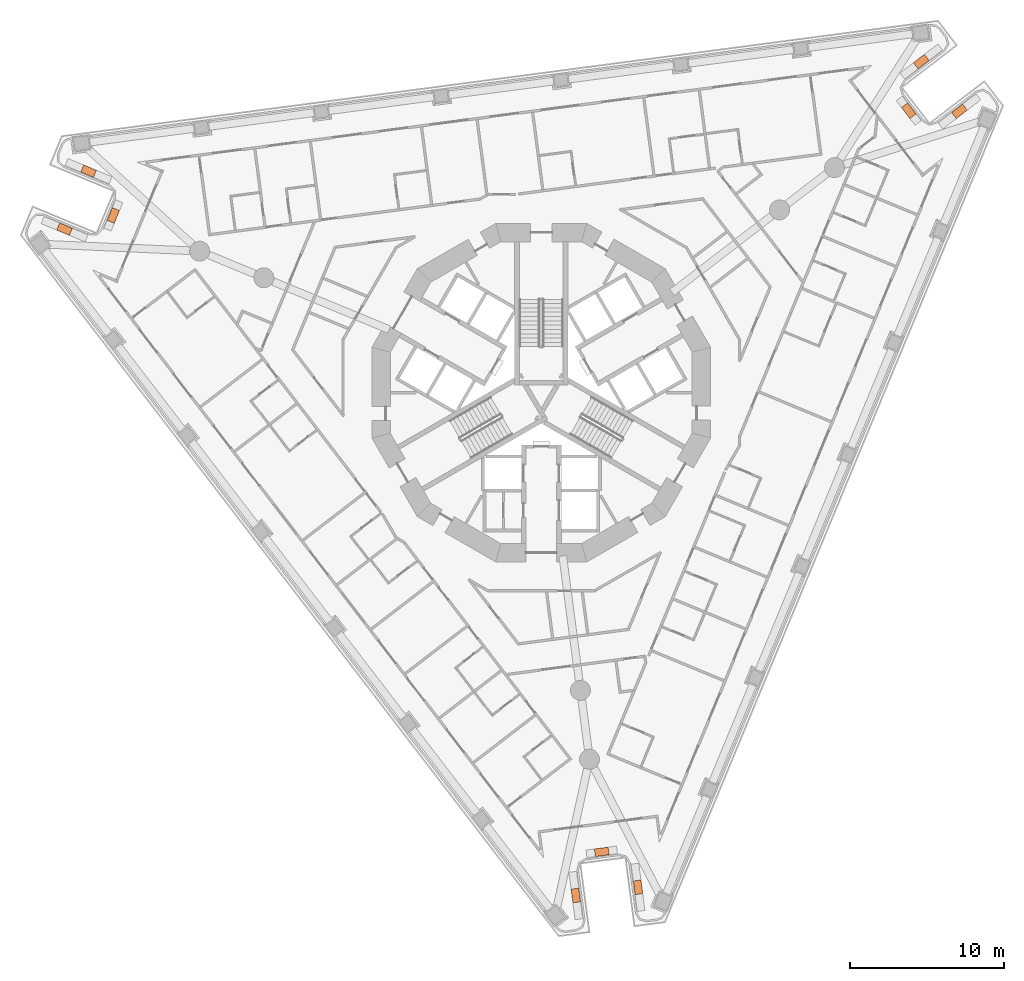
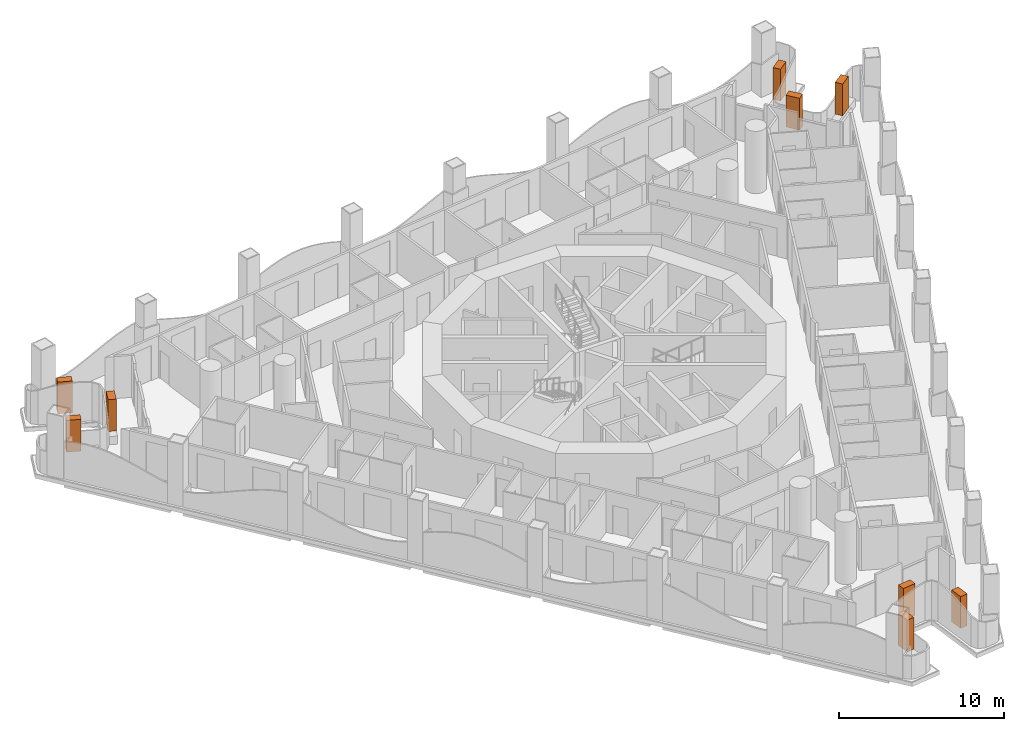
# One storey, part 19 of 19: 9 geographic elements.
"""IFC4 building model written with IfcOpenShell, lengths in metres."""

import ifcopenshell
import ifcopenshell.guid

model = None  # the IFC model being written
_history = None  # IfcOwnerHistory: only IFC2X3 demands one
_inside = {}  # id of a spatial element -> (the spatial element, [elements in it])
_under = {}  # id of a project, library or spatial element -> (it, [spatial elements below it])
_declared = {}  # id of a project -> (the project, [libraries it declares])
_typed = {}  # id of a type object -> (the type object, [elements of that type])
_made_of = {}  # id of a material, layer set ... -> (it, [elements and type objects made of it])


def new_model(schema):
    """Start an empty IFC model of exactly this schema.

    Asked for "IFC4X3", IfcOpenShell would pick the latest addendum, in which some entities
    have other attributes; the version numbers below select the first issue.
    IFC2X3 requires an IfcOwnerHistory on every rooted entity: one is made here for all.
    """
    global model, _history
    if schema == "IFC4X3":
        model = ifcopenshell.file(schema_version=(4, 3, 0, 0))
    else:
        model = ifcopenshell.file(schema=schema)
    _inside.clear()
    _under.clear()
    _declared.clear()
    _typed.clear()
    _made_of.clear()
    _history = None
    if model.schema == "IFC2X3":
        org = make("IfcOrganization", Name="unknown")
        user = make(
            "IfcPersonAndOrganization",
            ThePerson=make("IfcPerson", FamilyName="unknown"),
            TheOrganization=org,
        )
        app = make(
            "IfcApplication",
            ApplicationDeveloper=org,
            Version="unknown",
            ApplicationFullName="unknown",
            ApplicationIdentifier="unknown",
        )
        _history = make(
            "IfcOwnerHistory",
            OwningUser=user,
            OwningApplication=app,
            ChangeAction="ADDED",
            CreationDate=0,
        )
    return model


def make(cls, **values):
    """One entity of the class cls with the attributes given. An attribute that is None is left unset."""
    return model.create_entity(
        cls, **{name: value for name, value in values.items() if value is not None}
    )


def rooted(cls, **values):
    """An entity with a GlobalId (a new one), such as an element, a storey or a relation."""
    return make(cls, GlobalId=ifcopenshell.guid.new(), OwnerHistory=_history, **values)


def si_unit(unit_type, name, prefix=None):
    """IfcSIUnit, for example si_unit("LENGTHUNIT", "METRE", prefix="MILLI")."""
    return make("IfcSIUnit", UnitType=unit_type, Prefix=prefix, Name=name)


def assignment(units):
    """IfcUnitAssignment: the units of a project."""
    return None if units is None else make("IfcUnitAssignment", Units=units)


def point(xyz):
    """IfcCartesianPoint."""
    return None if xyz is None else make("IfcCartesianPoint", Coordinates=xyz)


def direction(xyz):
    """IfcDirection."""
    return None if xyz is None else make("IfcDirection", DirectionRatios=xyz)


def frame(location, z_axis=None, x_axis=None):
    """IfcAxis2Placement3D, a coordinate frame: its origin and axes. An axis left out is left unset."""
    return make(
        "IfcAxis2Placement3D",
        Location=point(location),
        Axis=direction(z_axis),
        RefDirection=direction(x_axis),
    )


def frame_2d(location, x_axis=None):
    """IfcAxis2Placement2D, a coordinate frame in the plane: its origin and x axis."""
    return make(
        "IfcAxis2Placement2D", Location=point(location), RefDirection=direction(x_axis)
    )


def origin():
    """The frame at (0, 0, 0) with its axes left unset."""
    return frame((0.0, 0.0, 0.0))


def origin_2d():
    """The frame at (0, 0) in the plane with its x axis left unset."""
    return frame_2d((0.0, 0.0))


def place(relative_to, where):
    """IfcLocalPlacement: puts the frame where relative to a parent placement (None: the world)."""
    return make(
        "IfcLocalPlacement", PlacementRelTo=relative_to, RelativePlacement=where
    )


def context(
    kind, dimensions, precision=None, world=None, true_north=None, identifier=None
):
    """IfcGeometricRepresentationContext, for example the 3D "Model" context."""
    return make(
        "IfcGeometricRepresentationContext",
        ContextIdentifier=identifier,
        ContextType=kind,
        CoordinateSpaceDimension=dimensions,
        Precision=precision,
        WorldCoordinateSystem=world,
        TrueNorth=true_north,
    )


def subcontext(parent, identifier, kind, view, scale=None):
    """IfcGeometricRepresentationSubContext, for example "Body" below "Model"."""
    return make(
        "IfcGeometricRepresentationSubContext",
        ContextIdentifier=identifier,
        ContextType=kind,
        ParentContext=parent,
        TargetScale=scale,
        TargetView=view,
    )


def project(units=None, contexts=None):
    """IfcProject with its units and contexts."""
    return rooted(
        "IfcProject",
        Name="project",
        RepresentationContexts=contexts,
        UnitsInContext=assignment(units),
    )


def spatial(cls, under=None, at=None, **own):
    """A site, building, storey or space (cls), placed at a placement, below another one or the project."""
    s = rooted(cls, ObjectPlacement=at, **own)
    if under is not None:
        _under.setdefault(under.id(), (under, []))[1].append(s)
    return s


def profile(cls, at=None, kind="AREA", **sizes):
    """A parametric profile (cls). Its sizes go by their IFC names, for example OverallWidth=200.0."""
    return make(cls, ProfileType=kind, Position=at, **sizes)


def rectangle(**sizes):
    """IfcRectangleProfileDef."""
    return profile("IfcRectangleProfileDef", **sizes)


def extrude(swept, where, along, depth):
    """IfcExtrudedAreaSolid: the profile swept, set in the frame where, extruded along a direction by depth."""
    return make(
        "IfcExtrudedAreaSolid",
        SweptArea=swept,
        Position=where,
        ExtrudedDirection=direction(along),
        Depth=depth,
    )


def shape(context_of_items, identifier, shape_type, items):
    """IfcShapeRepresentation: the items that make up one representation, for example the "Body"."""
    return make(
        "IfcShapeRepresentation",
        ContextOfItems=context_of_items,
        RepresentationIdentifier=identifier,
        RepresentationType=shape_type,
        Items=items,
    )


def made_of(thing, what):
    """Note that an element or type object is made of a material, layer set ...; save() writes the relation."""
    if what is not None:
        _made_of.setdefault(what.id(), (what, []))[1].append(thing)
    return thing


def element(
    cls,
    number,
    at=None,
    inside=None,
    cuts=None,
    type_object=None,
    material=None,
    context=None,
    identifier="Body",
    shape_type=None,
    held_by="IfcProductDefinitionShape",
    body=None,
    shapes=None,
    **own,
):
    """One element of the class cls, such as IfcWall. Its Tag is "e" and its number.

    at: its placement. inside: the storey or other place that contains it. cuts: it is an
    opening in that element (IfcRelVoidsElement). A single representation is given by context,
    identifier, shape_type and body (its items); several are given by shapes. held_by: the class
    of the entity that holds the representations. save() writes the other relations.
    """
    e = rooted(cls, Tag="e%d" % number, ObjectPlacement=at, **own)
    if body is not None:
        shapes = [shape(context, identifier, shape_type, body)]
    if shapes is not None:
        e.Representation = make(held_by, Representations=shapes)
    if inside is not None:
        _inside.setdefault(inside.id(), (inside, []))[1].append(e)
    if cuts is not None:
        rooted(
            "IfcRelVoidsElement", RelatingBuildingElement=cuts, RelatedOpeningElement=e
        )
    if type_object is not None:
        _typed.setdefault(type_object.id(), (type_object, []))[1].append(e)
    return made_of(e, material)


def aggregate(whole, parts):
    """IfcRelAggregates: a whole, such as a stair, and the parts it consists of."""
    return rooted("IfcRelAggregates", RelatingObject=whole, RelatedObjects=parts)


def save(model, path):
    """Write the relations noted so far, then the file.

    IfcRelAggregates (storeys below a building ...), IfcRelContainedInSpatialStructure (elements
    in a storey), IfcRelDefinesByType, IfcRelAssociatesMaterial and IfcRelDeclares: one each for
    every whole, place, type object, material and project.
    """
    for whole, parts in _under.values():
        aggregate(whole, parts)
    for where, things in _inside.values():
        rooted(
            "IfcRelContainedInSpatialStructure",
            RelatedElements=things,
            RelatingStructure=where,
        )
    for kind, things in _typed.values():
        rooted("IfcRelDefinesByType", RelatedObjects=things, RelatingType=kind)
    for what, things in _made_of.values():
        rooted("IfcRelAssociatesMaterial", RelatedObjects=things, RelatingMaterial=what)
    for by, libraries in _declared.values():
        rooted("IfcRelDeclares", RelatingContext=by, RelatedDefinitions=libraries)
    model.write(path)


model = new_model("IFC4")

# Units and contexts
model_context = context("Model", 3, precision=1e-05, world=origin(), true_north=direction((0.0, 1.0)))
body_context = subcontext(model_context, "Body", "Model", "MODEL_VIEW")
ifc_project = project(units=[si_unit("LENGTHUNIT", "METRE"), si_unit("AREAUNIT", "SQUARE_METRE"), si_unit("VOLUMEUNIT", "CUBIC_METRE"), si_unit("PLANEANGLEUNIT", "RADIAN"), si_unit("MASSUNIT", "GRAM", prefix="KILO")], contexts=[model_context])

# Site, building, storey
site_placement = place(None, origin())
site = spatial("IfcSite", under=ifc_project, at=site_placement, CompositionType="ELEMENT")
building_placement = place(site_placement, origin())
building = spatial("IfcBuilding", under=site, at=building_placement, Name="Trine Commons Tower", CompositionType="ELEMENT")
storey_placement = place(building_placement, frame((0.0, 0.0, 79.199951171875)))
storey = spatial("IfcBuildingStorey", under=building, at=storey_placement, Name="L19", CompositionType="ELEMENT", Elevation=79.199951171875)

# Geographic elements
for number, where, z_axis, x_axis, name in (
    (1, (49.005126953125, 73.13037109375, 0.60009765625), (0.0, 0.0, 1.0), (0.923885543575, -0.382668920052, 0.0), "Tree 1.1"),
    (2, (52.1787109375, 74.02392578125, 0.60009765625), (0.0, 0.0, 1.0), (0.382688269782, 0.923877528773, 0.0), "Tree 2.1"),
    (3, (50.56640625, 76.89990234375, 0.60009765625), (0.0, 0.0, 1.0), (-0.923885543575, 0.382668920052, 0.0), "Tree 3.1"),
    (4, (104.70361328125, 84.027099609375, 0.60009765625), (0.0, 0.0, 1.0), (-0.793358652707, -0.608754505672, 0.0), "Tree 4.1"),
    (5, (103.890625, 80.831787109375, 0.60009765625), (0.0, 0.0, 1.0), (0.608735120081, -0.793373527148, 0.0), "Tree 5.1"),
    (6, (107.187255859375, 80.790283203125, 0.60009765625), (0.0, 0.0, 1.0), (0.793358652707, 0.608754505672, 0.0), "Tree 6.1"),
    (7, (86.291259765625, 30.342529296875, 0.60009765625), (0.0, 0.0, 1.0), (-0.130517540226, 0.991446000392, 0.0), "Tree 7.1"),
    (8, (83.9306640625, 32.64404296875, 0.60009765625), (0.0, 0.0, 1.0), (-0.991442583111, -0.130543496177, 0.0), "Tree 8.1"),
    (9, (82.24609375, 29.81005859375, 0.60009765625), (0.0, 0.0, 1.0), (0.130546956964, -0.991442127422, 0.0), "Tree 9.1"),
):
    element("IfcGeographicElement", number, at=place(storey_placement, frame(where, z_axis=z_axis, x_axis=x_axis)), inside=storey, Name=name, ObjectType="TREE Tabebuia rosea", PredefinedType="USERDEFINED", context=body_context, shape_type="SweptSolid", body=[
        extrude(rectangle(XDim=0.89990234375, YDim=0.5, at=origin_2d()), origin(), (0.0, 0.0, 1.0), 2.35009765625),
    ])

save(model, "model.ifc")
